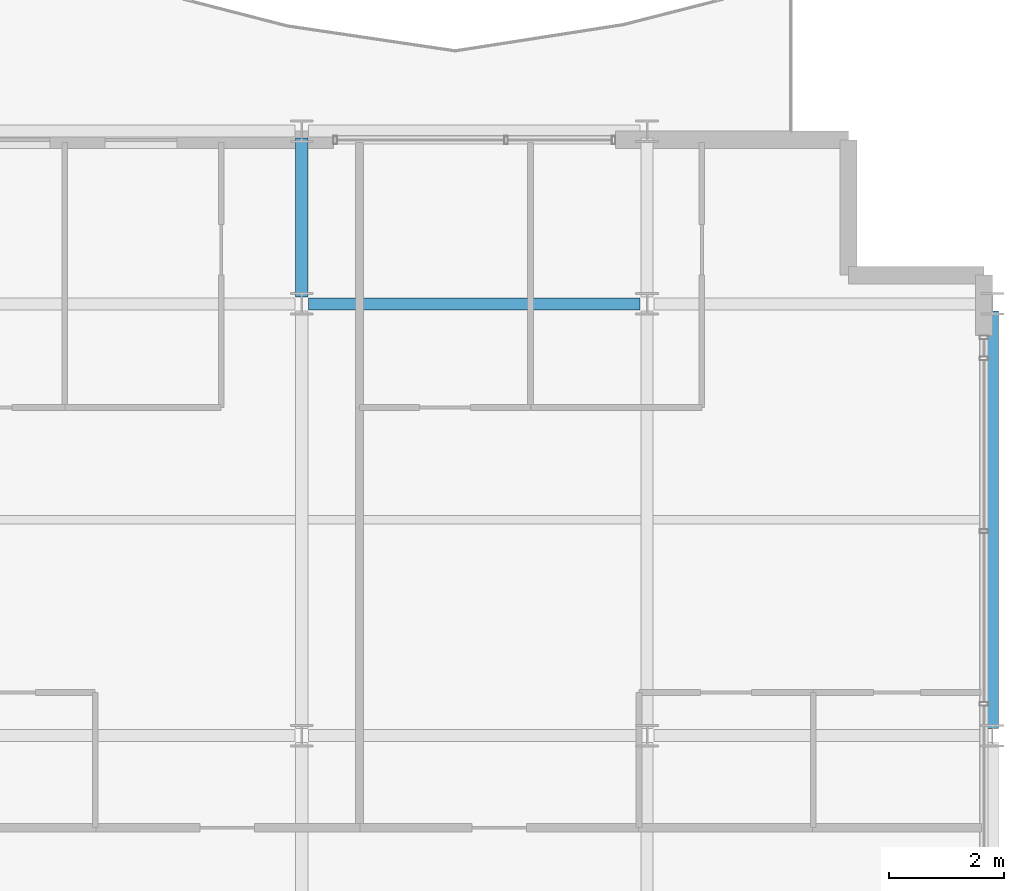
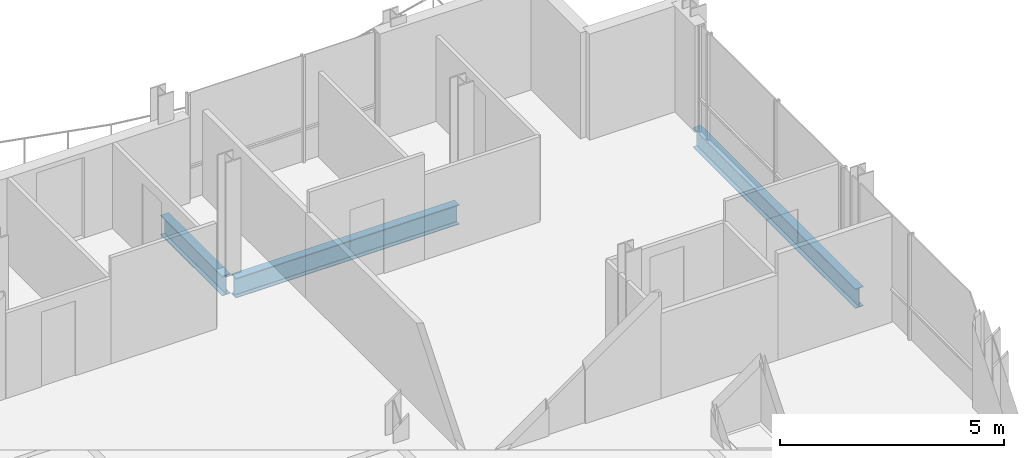
# One storey, part 13 of 27: 3 beams.
"""IFC4 building model written with IfcOpenShell, lengths in metres."""

from ifc_helpers import new_model, si_unit, direction, frame, origin, origin_2d, place, context, subcontext, project, spatial, i_section, extrude, material, material_profile, profile_set, type_object, element, save


model = new_model("IFC4")

# Units and contexts
model_context = context("Model", 3, precision=1e-05, world=origin(), true_north=direction((0.0, 1.0)))
body_context = subcontext(model_context, "Body", "Model", "MODEL_VIEW")
ifc_project = project(units=[si_unit("LENGTHUNIT", "METRE"), si_unit("AREAUNIT", "SQUARE_METRE"), si_unit("VOLUMEUNIT", "CUBIC_METRE"), si_unit("PLANEANGLEUNIT", "RADIAN"), si_unit("MASSUNIT", "GRAM", prefix="KILO")], contexts=[model_context])

# Site, building, storey
site_placement = place(None, origin())
site = spatial("IfcSite", under=ifc_project, at=site_placement, CompositionType="ELEMENT")
building_placement = place(site_placement, origin())
building = spatial("IfcBuilding", under=site, at=building_placement, Name="Brevholm Reach", CompositionType="ELEMENT")
storey_placement = place(building_placement, frame((0.0, 0.0, 195.60009765625)))
storey = spatial("IfcBuildingStorey", under=building, at=storey_placement, Name="L59", CompositionType="ELEMENT", Elevation=195.60009765625)

# Beams
ifc_material_1 = material(Name="Structural Steel S355J2", Category="steel")
ifc_material_profile_1 = material_profile(ifc_material_1, i_section(OverallWidth=0.209228515625, OverallDepth=0.533203125, WebThickness=0.010009765625, FlangeThickness=0.015625, FilletRadius=0.0126953125, at=origin_2d()), Name="UKB 533x210x92")
ifc_profile_set_1 = profile_set([ifc_material_profile_1], Name="Structural Steel S355J2")
beam_type_1 = type_object("IfcBeamType", Name="BM-SP533", PredefinedType="SPANDREL", material=ifc_profile_set_1)
beam_1_placement = place(storey_placement, frame((60.0, 16.1201171875, -0.4765625), z_axis=(0.0, 1.0, 0.0), x_axis=(-1.0, 0.0, 0.0)))
element("IfcBeam", 1, at=beam_1_placement, inside=storey, type_object=beam_type_1, Name="L59 SP-02 Framing Beam", PredefinedType="SPANDREL", context=body_context, shape_type="SweptSolid", body=[
    extrude(i_section(OverallWidth=0.209228515625, OverallDepth=0.533203125, WebThickness=0.010009765625, FlangeThickness=0.015625, FilletRadius=0.0126953125, at=origin_2d()), origin(), (0.0, 0.0, 1.0), 7.259765625),
])
ifc_material_2 = material(Name="Structural Steel S355J2", Category="steel")
ifc_material_profile_2 = material_profile(ifc_material_2, i_section(OverallWidth=0.210693359375, OverallDepth=0.53955078125, WebThickness=0.01171875, FlangeThickness=0.018798828125, FilletRadius=0.0126953125, at=origin_2d()), Name="UKB 533x210x109")
ifc_profile_set_2 = profile_set([ifc_material_profile_2], Name="Structural Steel S355J2")
beam_type_2 = type_object("IfcBeamType", Name="BM-SP539", PredefinedType="SPANDREL", material=ifc_profile_set_2)
beam_2_placement = place(storey_placement, frame((48.1201171875, 23.5, -0.479736328125), z_axis=(1.0, 0.0, 0.0), x_axis=(0.0, 1.0, 0.0)))
element("IfcBeam", 2, at=beam_2_placement, inside=storey, type_object=beam_type_2, Name="L59 SP-01B Framing Beam", PredefinedType="SPANDREL", context=body_context, shape_type="SweptSolid", body=[
    extrude(i_section(OverallWidth=0.210693359375, OverallDepth=0.53955078125, WebThickness=0.01171875, FlangeThickness=0.018798828125, FilletRadius=0.0126953125, at=origin_2d()), origin(), (0.0, 0.0, 1.0), 5.759765625),
])
beam_3_placement = place(storey_placement, frame((48.0, 23.6201171875, -0.479736328125), z_axis=(0.0, 1.0, 0.0), x_axis=(-1.0, 0.0, 0.0)))
element("IfcBeam", 3, at=beam_3_placement, inside=storey, type_object=beam_type_2, Name="L59 SP-01B Framing Beam", PredefinedType="SPANDREL", context=body_context, shape_type="SweptSolid", body=[
    extrude(i_section(OverallWidth=0.210693359375, OverallDepth=0.53955078125, WebThickness=0.01171875, FlangeThickness=0.018798828125, FilletRadius=0.0126953125, at=origin_2d()), origin(), (0.0, 0.0, 1.0), 2.759765625),
])

save(model, "model.ifc")
